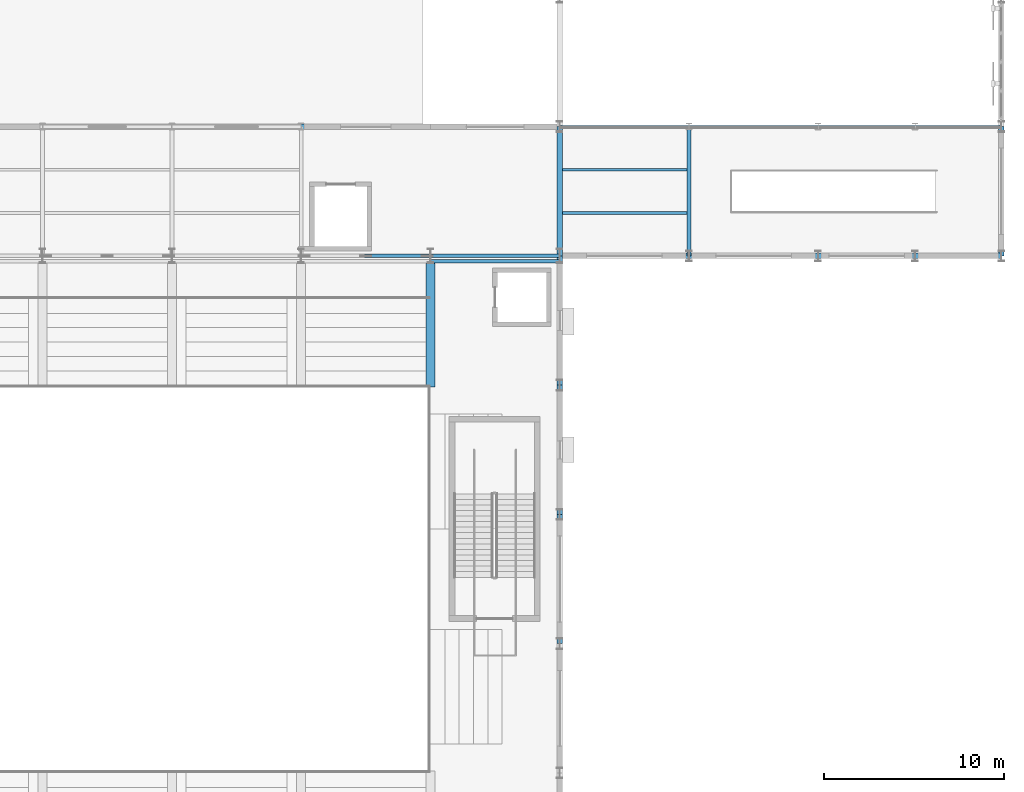
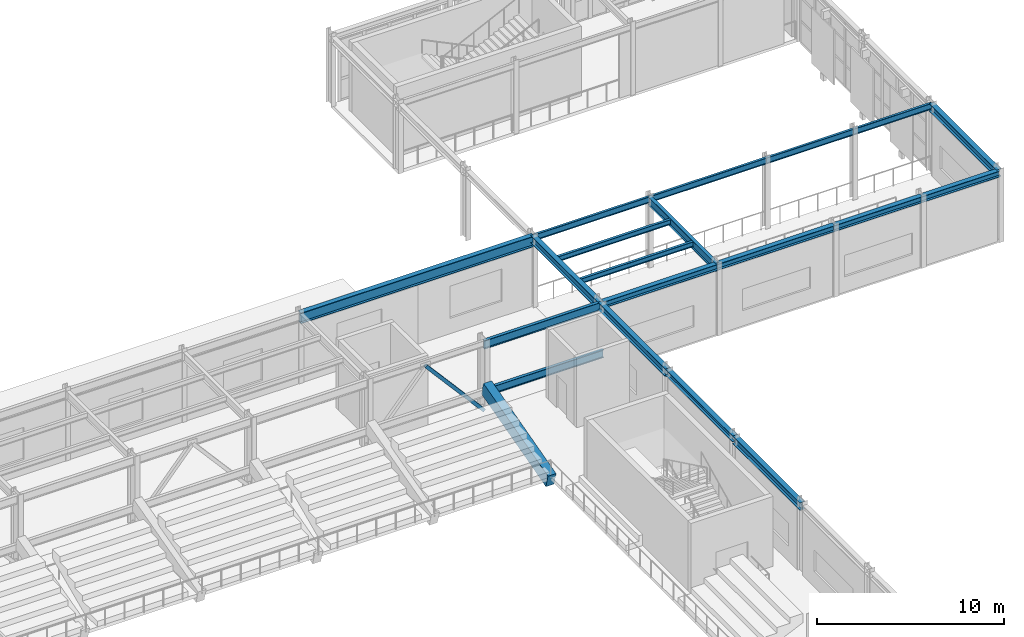
# One storey, part 56 of 121: 20 beams, 1 member.
"""IFC4 building model written with IfcOpenShell, lengths in metres."""

from ifc_helpers import new_model, si_unit, direction, frame, origin, origin_2d, place, context, subcontext, project, spatial, rectangle, hollow_rectangle, i_section, extrude, material, material_profile, profile_set, type_object, element, save


model = new_model("IFC4")

# Units and contexts
model_context = context("Model", 3, precision=1e-05, world=origin(), true_north=direction((0.0, 1.0)))
body_context = subcontext(model_context, "Body", "Model", "MODEL_VIEW")
ifc_project = project(units=[si_unit("LENGTHUNIT", "METRE"), si_unit("AREAUNIT", "SQUARE_METRE"), si_unit("VOLUMEUNIT", "CUBIC_METRE"), si_unit("PLANEANGLEUNIT", "RADIAN"), si_unit("MASSUNIT", "GRAM", prefix="KILO")], contexts=[model_context])

# Site, building, storey
site_placement = place(None, origin())
site = spatial("IfcSite", under=ifc_project, at=site_placement, CompositionType="ELEMENT")
building_placement = place(site_placement, origin())
building = spatial("IfcBuilding", under=site, at=building_placement, Name="Solvadek Multi-Sports Hall", CompositionType="ELEMENT")
storey_placement = place(building_placement, frame((0.0, 0.0, 4.800048828125)))
storey = spatial("IfcBuildingStorey", under=building, at=storey_placement, Name="L01", CompositionType="ELEMENT", Elevation=4.800048828125)

# Beams
ifc_material_1 = material(Name="Steel E350 (350 MPa)", Category="steel")
ifc_material_profile_1 = material_profile(ifc_material_1, i_section(OverallWidth=0.139892578125, OverallDepth=0.39990234375, WebThickness=0.0087890625, FlangeThickness=0.01611328125, at=origin_2d()), Name="ISMB 400")
ifc_profile_set_1 = profile_set([ifc_material_profile_1], Name="Steel E350 (350 MPa)")
beam_type_1 = type_object("IfcBeamType", Name="STR-BM-ISMB400", PredefinedType="BEAM", material=ifc_profile_set_1)
for number, where, z_axis, x_axis, name in (
    (1, (136.800048828125, 49.199951171875, 4.35986328125), (1.0, 0.0, 0.0), (0.0, 1.0, 0.0), "L01 Girder B-10 #1020"),
    (2, (144.0, 49.199951171875, 4.35986328125), (1.0, 0.0, 0.0), (0.0, 1.0, 0.0), "L01 Girder B-10 #1021"),
):
    element("IfcBeam", number, at=place(storey_placement, frame(where, z_axis=z_axis, x_axis=x_axis)), inside=storey, type_object=beam_type_1, Name=name, PredefinedType="BEAM", context=body_context, shape_type="SweptSolid", body=[
        extrude(i_section(OverallWidth=0.139892578125, OverallDepth=0.39990234375, WebThickness=0.0087890625, FlangeThickness=0.01611328125, at=origin_2d()), origin(), (0.0, 0.0, 1.0), 7.199951171875),
    ])
beam_1_placement = place(storey_placement, frame((151.199951171875, 49.199951171875, 4.35986328125), z_axis=(1.0, 0.0, 0.0), x_axis=(0.0, 1.0, 0.0)))
element("IfcBeam", 3, at=beam_1_placement, inside=storey, type_object=beam_type_1, Name="L01 Girder B-10 #1022", PredefinedType="BEAM", context=body_context, shape_type="SweptSolid", body=[
    extrude(i_section(OverallWidth=0.139892578125, OverallDepth=0.39990234375, WebThickness=0.0087890625, FlangeThickness=0.01611328125, at=origin_2d()), origin(), (0.0, 0.0, 1.0), 5.400146484375),
])
beam_2_placement = place(storey_placement, frame((156.60009765625, 49.199951171875, 4.35986328125), z_axis=(1.0, 0.0, 0.0), x_axis=(0.0, 1.0, 0.0)))
element("IfcBeam", 4, at=beam_2_placement, inside=storey, type_object=beam_type_1, Name="L01 Girder B-10 #1023", PredefinedType="BEAM", context=body_context, shape_type="SweptSolid", body=[
    extrude(i_section(OverallWidth=0.139892578125, OverallDepth=0.39990234375, WebThickness=0.0087890625, FlangeThickness=0.01611328125, at=origin_2d()), origin(), (0.0, 0.0, 1.0), 4.7998046875),
])
ifc_material_profile_2 = material_profile(ifc_material_1, i_section(OverallWidth=0.179931640625, OverallDepth=0.5, WebThickness=0.01025390625, FlangeThickness=0.01708984375, at=origin_2d()), Name="ISMB 500")
ifc_profile_set_2 = profile_set([ifc_material_profile_2], Name="Steel E350 (350 MPa)")
beam_type_2 = type_object("IfcBeamType", Name="STR-BM-ISMB500", PredefinedType="BEAM", material=ifc_profile_set_2)
beam_3_placement = place(storey_placement, frame((129.60009765625, 41.699951171875, 1.3798828125), z_axis=(1.0, 0.0, 0.0), x_axis=(0.0, 1.0, 0.0)))
element("IfcBeam", 5, at=beam_3_placement, inside=storey, type_object=beam_type_2, Name="L01 N Stand Raker Header Girder #7", PredefinedType="BEAM", context=body_context, shape_type="SweptSolid", body=[
    extrude(i_section(OverallWidth=0.179931640625, OverallDepth=0.5, WebThickness=0.01025390625, FlangeThickness=0.01708984375, at=origin_2d()), origin(), (0.0, 0.0, 1.0), 7.199951171875),
])
ifc_material_profile_3 = material_profile(ifc_material_1, i_section(OverallWidth=0.18994140625, OverallDepth=0.550048828125, WebThickness=0.01123046875, FlangeThickness=0.019287109375, at=origin_2d()), Name="ISMB 550")
ifc_profile_set_3 = profile_set([ifc_material_profile_3], Name="Steel E350 (350 MPa)")
beam_type_3 = type_object("IfcBeamType", Name="STR-BM-ISMB550", PredefinedType="BEAM", material=ifc_profile_set_3)
beam_4_placement = place(storey_placement, frame((129.60009765625, 42.0, 4.284912109375), z_axis=(1.0, 0.0, 0.0), x_axis=(0.0, 1.0, 0.0)))
element("IfcBeam", 6, at=beam_4_placement, inside=storey, type_object=beam_type_3, Name="L01 Girder B-06 #1000", PredefinedType="BEAM", context=body_context, shape_type="SweptSolid", body=[
    extrude(i_section(OverallWidth=0.18994140625, OverallDepth=0.550048828125, WebThickness=0.01123046875, FlangeThickness=0.019287109375, at=origin_2d()), origin(), (0.0, 0.0, 1.0), 7.199951171875),
])
ifc_material_profile_4 = material_profile(ifc_material_1, i_section(OverallWidth=0.2099609375, OverallDepth=0.550048828125, WebThickness=0.010986328125, FlangeThickness=0.01708984375, at=origin_2d()), Name="NPB 550")
ifc_profile_set_4 = profile_set([ifc_material_profile_4], Name="Steel E350 (350 MPa)")
beam_type_4 = type_object("IfcBeamType", Name="STR-BM-NPB550", PredefinedType="BEAM", material=ifc_profile_set_4)
beam_5_placement = place(storey_placement, frame((144.0, 42.0, 4.284912109375), z_axis=(0.0, 1.0, 0.0), x_axis=(-1.0, 0.0, 0.0)))
element("IfcBeam", 7, at=beam_5_placement, inside=storey, type_object=beam_type_4, Name="L01 Girder B-05 #1302", PredefinedType="BEAM", context=body_context, shape_type="SweptSolid", body=[
    extrude(i_section(OverallWidth=0.2099609375, OverallDepth=0.550048828125, WebThickness=0.010986328125, FlangeThickness=0.01708984375, at=origin_2d()), origin(), (0.0, 0.0, 1.0), 7.199951171875),
])
ifc_material_profile_5 = material_profile(ifc_material_1, i_section(OverallWidth=0.300048828125, OverallDepth=0.699951171875, WebThickness=0.01708984375, FlangeThickness=0.031982421875, at=origin_2d()), Name="WPB 700")
ifc_profile_set_5 = profile_set([ifc_material_profile_5], Name="Steel E350 (350 MPa)")
beam_type_5 = type_object("IfcBeamType", Name="STR-BM-WPB700", PredefinedType="BEAM", material=ifc_profile_set_5)
beam_6_placement = place(storey_placement, frame((122.39990234375, 49.199951171875, 4.2099609375), z_axis=(1.0, 0.0, 0.0), x_axis=(0.0, 1.0, 0.0)))
element("IfcBeam", 8, at=beam_6_placement, inside=storey, type_object=beam_type_5, Name="L01 Girder B-01 #1019", PredefinedType="BEAM", context=body_context, shape_type="SweptSolid", body=[
    extrude(i_section(OverallWidth=0.300048828125, OverallDepth=0.699951171875, WebThickness=0.01708984375, FlangeThickness=0.031982421875, at=origin_2d()), origin(), (0.0, 0.0, 1.0), 14.400146484375),
])

# Member
ifc_material_profile_6 = material_profile(ifc_material_1, hollow_rectangle(XDim=0.199951171875, YDim=0.199951171875, WallThickness=0.010009765625, at=origin_2d()), Name="SHS 200x200x10")
ifc_profile_set_6 = profile_set([ifc_material_profile_6], Name="Steel E350 (350 MPa)")
member_type = type_object("IfcMemberType", Name="STR-BRC-SHS200", PredefinedType="BRACE", material=ifc_profile_set_6)
member_placement = place(storey_placement, frame((129.60009765625, 42.0, 0.0), z_axis=(-0.655295898412, 0.0, 0.755372282735), x_axis=(0.0, -1.0, 0.0)))
element("IfcMember", 9, at=member_placement, inside=storey, type_object=member_type, Name="L01 Concentric Chevron Brace #34", PredefinedType="BRACE", context=body_context, shape_type="SweptSolid", body=[
    extrude(hollow_rectangle(XDim=0.199951171875, YDim=0.199951171875, WallThickness=0.010009765625, at=origin_2d()), origin(), (0.0, 0.0, 1.0), 5.493896484375),
])

# Beams
ifc_material_profile_7 = material_profile(ifc_material_1, i_section(OverallWidth=0.159912109375, OverallDepth=0.330078125, WebThickness=0.007568359375, FlangeThickness=0.011474609375, at=origin_2d()), Name="NPB 330")
ifc_profile_set_7 = profile_set([ifc_material_profile_7], Name="Steel E350 (350 MPa)")
beam_type_6 = type_object("IfcBeamType", Name="STR-JST-NPB330", PredefinedType="JOIST", material=ifc_profile_set_7)
for number, where, z_axis, x_axis, name in (
    (10, (136.949951171875, 44.39990234375, 4.39501953125), (1.0, 0.0, 0.0), (0.0, 1.0, 0.0), "L01 Composite Joist J-02 #630"),
    (11, (136.949951171875, 46.800048828125, 4.39501953125), (1.0, 0.0, 0.0), (0.0, 1.0, 0.0), "L01 Composite Joist J-02 #631"),
):
    element("IfcBeam", number, at=place(storey_placement, frame(where, z_axis=z_axis, x_axis=x_axis)), inside=storey, type_object=beam_type_6, Name=name, PredefinedType="JOIST", context=body_context, shape_type="SweptSolid", body=[
        extrude(i_section(OverallWidth=0.159912109375, OverallDepth=0.330078125, WebThickness=0.007568359375, FlangeThickness=0.011474609375, at=origin_2d()), origin(), (0.0, 0.0, 1.0), 6.945068359375),
    ])
ifc_material_2 = material(Name="Concrete M40", Category="concrete")
ifc_material_profile_8 = material_profile(ifc_material_2, rectangle(XDim=0.5, YDim=0.85009765625, at=origin_2d()), Name="RC RAKER 500x850")
ifc_profile_set_8 = profile_set([ifc_material_profile_8], Name="Concrete M40")
beam_type_7 = type_object("IfcBeamType", Name="STR-RAK-RC500", PredefinedType="USERDEFINED", material=ifc_profile_set_8)
beam_7_placement = place(storey_placement, frame((129.60009765625, 34.800048828125, -0.219970703125), z_axis=(0.0, 0.965185787427, 0.26156528009), x_axis=(-1.0, 0.0, 0.0)))
element("IfcBeam", 12, at=beam_7_placement, inside=storey, type_object=beam_type_7, Name="North Stand Raker Beam #12", ObjectType="RAKER BEAM", PredefinedType="USERDEFINED", context=body_context, shape_type="SweptSolid", body=[
    extrude(rectangle(XDim=0.5, YDim=0.85009765625, at=origin_2d()), origin(), (0.0, 0.0, 1.0), 7.148681640625),
])
ifc_material_profile_9 = material_profile(ifc_material_1, i_section(OverallWidth=0.300048828125, OverallDepth=0.39990234375, WebThickness=0.013427734375, FlangeThickness=0.02392578125, at=origin_2d()), Name="WPB 400")
ifc_profile_set_9 = profile_set([ifc_material_profile_9], Name="Steel E350 (350 MPa)")
beam_type_8 = type_object("IfcBeamType", Name="STR-SPN-WPB400", PredefinedType="SPANDREL", material=ifc_profile_set_9)
for number, where, z_axis, x_axis, name in (
    (13, (136.800048828125, 42.0, 4.35986328125), (1.0, 0.0, 0.0), (0.0, 1.0, 0.0), "L01 Girder SP-02 #1001"),
    (14, (144.0, 42.0, 4.35986328125), (1.0, 0.0, 0.0), (0.0, 1.0, 0.0), "L01 Girder SP-02 #1002"),
):
    element("IfcBeam", number, at=place(storey_placement, frame(where, z_axis=z_axis, x_axis=x_axis)), inside=storey, type_object=beam_type_8, Name=name, PredefinedType="SPANDREL", context=body_context, shape_type="SweptSolid", body=[
        extrude(i_section(OverallWidth=0.300048828125, OverallDepth=0.39990234375, WebThickness=0.013427734375, FlangeThickness=0.02392578125, at=origin_2d()), origin(), (0.0, 0.0, 1.0), 7.199951171875),
    ])
beam_8_placement = place(storey_placement, frame((151.199951171875, 42.0, 4.35986328125), z_axis=(1.0, 0.0, 0.0), x_axis=(0.0, 1.0, 0.0)))
element("IfcBeam", 15, at=beam_8_placement, inside=storey, type_object=beam_type_8, Name="L01 Girder SP-02 #1003", PredefinedType="SPANDREL", context=body_context, shape_type="SweptSolid", body=[
    extrude(i_section(OverallWidth=0.300048828125, OverallDepth=0.39990234375, WebThickness=0.013427734375, FlangeThickness=0.02392578125, at=origin_2d()), origin(), (0.0, 0.0, 1.0), 5.400146484375),
])
beam_9_placement = place(storey_placement, frame((156.60009765625, 42.0, 4.35986328125), z_axis=(1.0, 0.0, 0.0), x_axis=(0.0, 1.0, 0.0)))
element("IfcBeam", 16, at=beam_9_placement, inside=storey, type_object=beam_type_8, Name="L01 Girder SP-02 #1004", PredefinedType="SPANDREL", context=body_context, shape_type="SweptSolid", body=[
    extrude(i_section(OverallWidth=0.300048828125, OverallDepth=0.39990234375, WebThickness=0.013427734375, FlangeThickness=0.02392578125, at=origin_2d()), origin(), (0.0, 0.0, 1.0), 4.7998046875),
])
beam_10_placement = place(storey_placement, frame((136.800048828125, 27.60009765625, 4.35986328125), z_axis=(0.0, 1.0, 0.0), x_axis=(-1.0, 0.0, 0.0)))
element("IfcBeam", 17, at=beam_10_placement, inside=storey, type_object=beam_type_8, Name="L01 Girder SP-02 #1296", PredefinedType="SPANDREL", context=body_context, shape_type="SweptSolid", body=[
    extrude(i_section(OverallWidth=0.300048828125, OverallDepth=0.39990234375, WebThickness=0.013427734375, FlangeThickness=0.02392578125, at=origin_2d()), origin(), (0.0, 0.0, 1.0), 7.199951171875),
])
ifc_material_profile_10 = material_profile(ifc_material_1, i_section(OverallWidth=0.300048828125, OverallDepth=0.5, WebThickness=0.014404296875, FlangeThickness=0.028076171875, at=origin_2d()), Name="WPB 500")
ifc_profile_set_10 = profile_set([ifc_material_profile_10], Name="Steel E350 (350 MPa)")
beam_type_9 = type_object("IfcBeamType", Name="STR-SPN-WPB500", PredefinedType="SPANDREL", material=ifc_profile_set_10)
beam_11_placement = place(storey_placement, frame((136.800048828125, 20.39990234375, 4.31005859375), z_axis=(0.0, 1.0, 0.0), x_axis=(-1.0, 0.0, 0.0)))
element("IfcBeam", 18, at=beam_11_placement, inside=storey, type_object=beam_type_9, Name="L01 Girder SP-01 #1295", PredefinedType="SPANDREL", context=body_context, shape_type="SweptSolid", body=[
    extrude(i_section(OverallWidth=0.300048828125, OverallDepth=0.5, WebThickness=0.014404296875, FlangeThickness=0.028076171875, at=origin_2d()), origin(), (0.0, 0.0, 1.0), 7.2001953125),
])
for number, where, z_axis, x_axis, name in (
    (19, (136.800048828125, 34.800048828125, 4.31005859375), (0.0, 1.0, 0.0), (-1.0, 0.0, 0.0), "L01 Girder SP-01 #1297"),
    (20, (136.800048828125, 42.0, 4.31005859375), (0.0, 1.0, 0.0), (-1.0, 0.0, 0.0), "L01 Girder SP-01 #1298"),
    (21, (161.39990234375, 42.0, 4.31005859375), (0.0, 1.0, 0.0), (-1.0, 0.0, 0.0), "L01 Girder SP-01 #1305"),
):
    element("IfcBeam", number, at=place(storey_placement, frame(where, z_axis=z_axis, x_axis=x_axis)), inside=storey, type_object=beam_type_9, Name=name, PredefinedType="SPANDREL", context=body_context, shape_type="SweptSolid", body=[
        extrude(i_section(OverallWidth=0.300048828125, OverallDepth=0.5, WebThickness=0.014404296875, FlangeThickness=0.028076171875, at=origin_2d()), origin(), (0.0, 0.0, 1.0), 7.199951171875),
    ])

save(model, "model.ifc")
